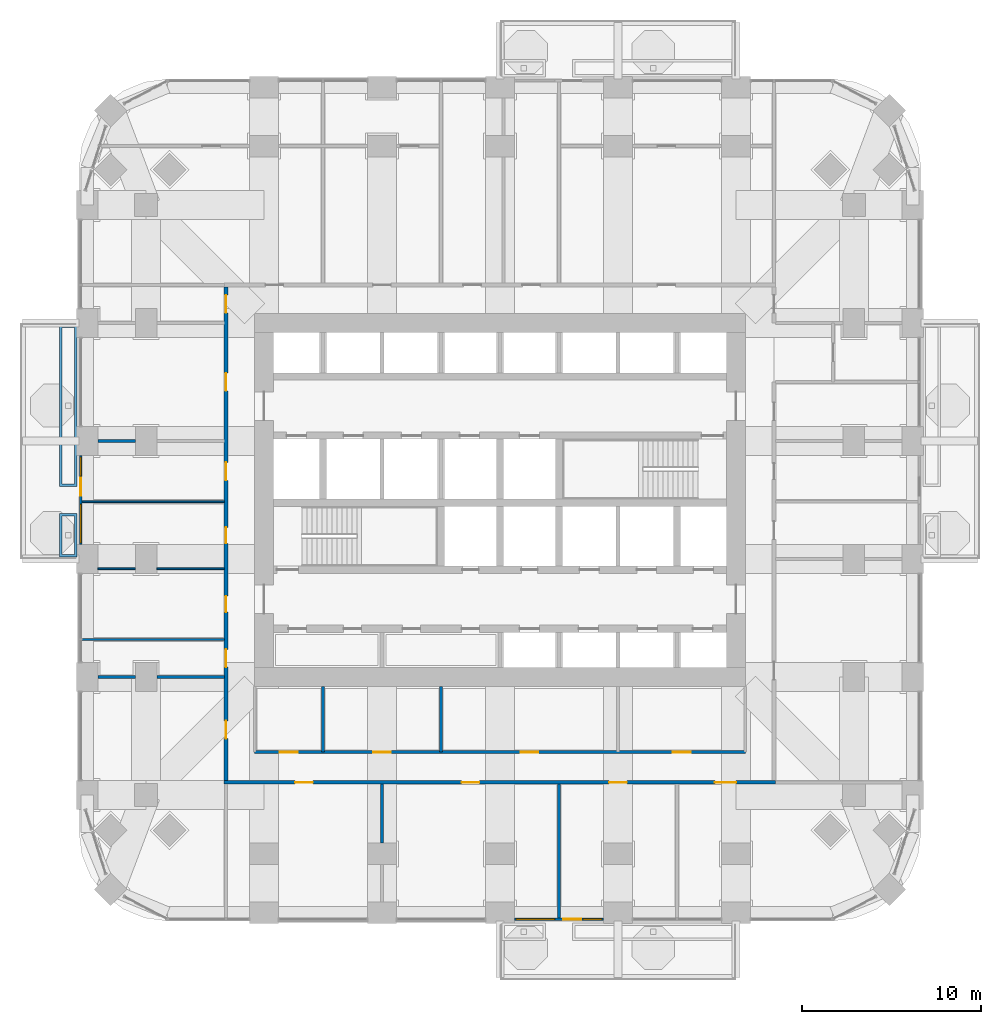
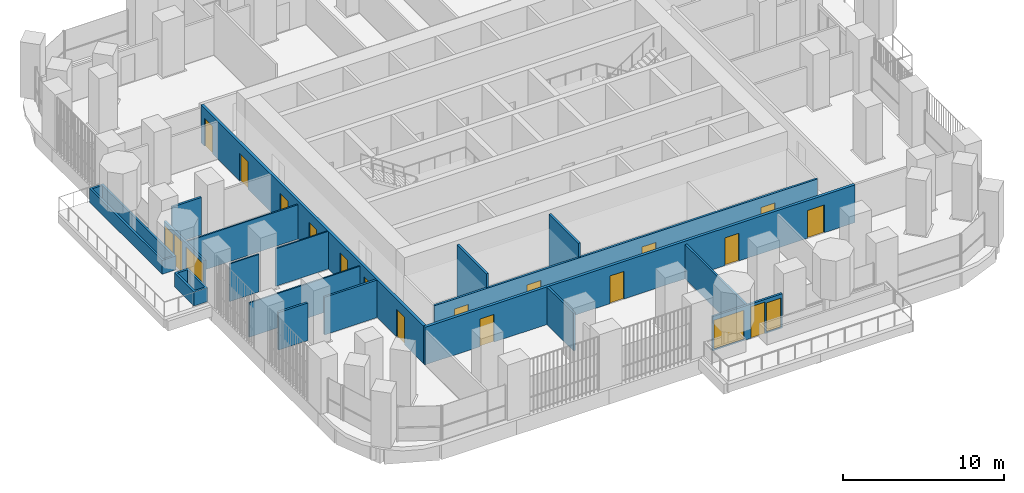
# One storey, part 14 of 22: 18 walls, 17 doors, 4 windows, 21 openings.
"""IFC4 building model written with IfcOpenShell, lengths in metres."""

import ifcopenshell
import ifcopenshell.guid

model = None  # the IFC model being written
_history = None  # IfcOwnerHistory: only IFC2X3 demands one
_inside = {}  # id of a spatial element -> (the spatial element, [elements in it])
_under = {}  # id of a project, library or spatial element -> (it, [spatial elements below it])
_declared = {}  # id of a project -> (the project, [libraries it declares])
_typed = {}  # id of a type object -> (the type object, [elements of that type])
_made_of = {}  # id of a material, layer set ... -> (it, [elements and type objects made of it])


def new_model(schema):
    """Start an empty IFC model of exactly this schema.

    Asked for "IFC4X3", IfcOpenShell would pick the latest addendum, in which some entities
    have other attributes; the version numbers below select the first issue.
    IFC2X3 requires an IfcOwnerHistory on every rooted entity: one is made here for all.
    """
    global model, _history
    if schema == "IFC4X3":
        model = ifcopenshell.file(schema_version=(4, 3, 0, 0))
    else:
        model = ifcopenshell.file(schema=schema)
    _inside.clear()
    _under.clear()
    _declared.clear()
    _typed.clear()
    _made_of.clear()
    _history = None
    if model.schema == "IFC2X3":
        org = make("IfcOrganization", Name="unknown")
        user = make(
            "IfcPersonAndOrganization",
            ThePerson=make("IfcPerson", FamilyName="unknown"),
            TheOrganization=org,
        )
        app = make(
            "IfcApplication",
            ApplicationDeveloper=org,
            Version="unknown",
            ApplicationFullName="unknown",
            ApplicationIdentifier="unknown",
        )
        _history = make(
            "IfcOwnerHistory",
            OwningUser=user,
            OwningApplication=app,
            ChangeAction="ADDED",
            CreationDate=0,
        )
    return model


def make(cls, **values):
    """One entity of the class cls with the attributes given. An attribute that is None is left unset."""
    return model.create_entity(
        cls, **{name: value for name, value in values.items() if value is not None}
    )


def rooted(cls, **values):
    """An entity with a GlobalId (a new one), such as an element, a storey or a relation."""
    return make(cls, GlobalId=ifcopenshell.guid.new(), OwnerHistory=_history, **values)


def si_unit(unit_type, name, prefix=None):
    """IfcSIUnit, for example si_unit("LENGTHUNIT", "METRE", prefix="MILLI")."""
    return make("IfcSIUnit", UnitType=unit_type, Prefix=prefix, Name=name)


def assignment(units):
    """IfcUnitAssignment: the units of a project."""
    return None if units is None else make("IfcUnitAssignment", Units=units)


def point(xyz):
    """IfcCartesianPoint."""
    return None if xyz is None else make("IfcCartesianPoint", Coordinates=xyz)


def direction(xyz):
    """IfcDirection."""
    return None if xyz is None else make("IfcDirection", DirectionRatios=xyz)


def frame(location, z_axis=None, x_axis=None):
    """IfcAxis2Placement3D, a coordinate frame: its origin and axes. An axis left out is left unset."""
    return make(
        "IfcAxis2Placement3D",
        Location=point(location),
        Axis=direction(z_axis),
        RefDirection=direction(x_axis),
    )


def frame_2d(location, x_axis=None):
    """IfcAxis2Placement2D, a coordinate frame in the plane: its origin and x axis."""
    return make(
        "IfcAxis2Placement2D", Location=point(location), RefDirection=direction(x_axis)
    )


def origin():
    """The frame at (0, 0, 0) with its axes left unset."""
    return frame((0.0, 0.0, 0.0))


def place(relative_to, where):
    """IfcLocalPlacement: puts the frame where relative to a parent placement (None: the world)."""
    return make(
        "IfcLocalPlacement", PlacementRelTo=relative_to, RelativePlacement=where
    )


def context(
    kind, dimensions, precision=None, world=None, true_north=None, identifier=None
):
    """IfcGeometricRepresentationContext, for example the 3D "Model" context."""
    return make(
        "IfcGeometricRepresentationContext",
        ContextIdentifier=identifier,
        ContextType=kind,
        CoordinateSpaceDimension=dimensions,
        Precision=precision,
        WorldCoordinateSystem=world,
        TrueNorth=true_north,
    )


def subcontext(parent, identifier, kind, view, scale=None):
    """IfcGeometricRepresentationSubContext, for example "Body" below "Model"."""
    return make(
        "IfcGeometricRepresentationSubContext",
        ContextIdentifier=identifier,
        ContextType=kind,
        ParentContext=parent,
        TargetScale=scale,
        TargetView=view,
    )


def project(units=None, contexts=None):
    """IfcProject with its units and contexts."""
    return rooted(
        "IfcProject",
        Name="project",
        RepresentationContexts=contexts,
        UnitsInContext=assignment(units),
    )


def spatial(cls, under=None, at=None, **own):
    """A site, building, storey or space (cls), placed at a placement, below another one or the project."""
    s = rooted(cls, ObjectPlacement=at, **own)
    if under is not None:
        _under.setdefault(under.id(), (under, []))[1].append(s)
    return s


def polyline(points):
    """IfcPolyline through the points."""
    return make("IfcPolyline", Points=[point(p) for p in points])


def profile(cls, at=None, kind="AREA", **sizes):
    """A parametric profile (cls). Its sizes go by their IFC names, for example OverallWidth=200.0."""
    return make(cls, ProfileType=kind, Position=at, **sizes)


def rectangle(**sizes):
    """IfcRectangleProfileDef."""
    return profile("IfcRectangleProfileDef", **sizes)


def outline(outer, holes=None, kind="AREA"):
    """IfcArbitraryClosedProfileDef: a profile drawn as a closed curve; with holes, ...WithVoids."""
    if holes is None:
        return make("IfcArbitraryClosedProfileDef", ProfileType=kind, OuterCurve=outer)
    return make(
        "IfcArbitraryProfileDefWithVoids",
        ProfileType=kind,
        OuterCurve=outer,
        InnerCurves=holes,
    )


def extrude(swept, where, along, depth):
    """IfcExtrudedAreaSolid: the profile swept, set in the frame where, extruded along a direction by depth."""
    return make(
        "IfcExtrudedAreaSolid",
        SweptArea=swept,
        Position=where,
        ExtrudedDirection=direction(along),
        Depth=depth,
    )


def shape(context_of_items, identifier, shape_type, items):
    """IfcShapeRepresentation: the items that make up one representation, for example the "Body"."""
    return make(
        "IfcShapeRepresentation",
        ContextOfItems=context_of_items,
        RepresentationIdentifier=identifier,
        RepresentationType=shape_type,
        Items=items,
    )


def material(Name=None, Category=None):
    """IfcMaterial."""
    return make("IfcMaterial", Name=Name, Category=Category)


def layer(
    of_material, thickness, ventilated=None, Name=None, Category=None, Priority=None
):
    """IfcMaterialLayer: one layer of a wall or slab, of a material (None: an air gap)."""
    return make(
        "IfcMaterialLayer",
        Material=of_material,
        LayerThickness=thickness,
        IsVentilated=ventilated,
        Name=Name,
        Category=Category,
        Priority=Priority,
    )


def layer_set(layers, Name=None):
    """IfcMaterialLayerSet."""
    return make("IfcMaterialLayerSet", MaterialLayers=layers, LayerSetName=Name)


def made_of(thing, what):
    """Note that an element or type object is made of a material, layer set ...; save() writes the relation."""
    if what is not None:
        _made_of.setdefault(what.id(), (what, []))[1].append(thing)
    return thing


def type_object(cls, material=None, **own):
    """A type object (cls), such as IfcWallType, which elements share."""
    return made_of(rooted(cls, **own), material)


def element(
    cls,
    number,
    at=None,
    inside=None,
    cuts=None,
    type_object=None,
    material=None,
    context=None,
    identifier="Body",
    shape_type=None,
    held_by="IfcProductDefinitionShape",
    body=None,
    shapes=None,
    **own,
):
    """One element of the class cls, such as IfcWall. Its Tag is "e" and its number.

    at: its placement. inside: the storey or other place that contains it. cuts: it is an
    opening in that element (IfcRelVoidsElement). A single representation is given by context,
    identifier, shape_type and body (its items); several are given by shapes. held_by: the class
    of the entity that holds the representations. save() writes the other relations.
    """
    e = rooted(cls, Tag="e%d" % number, ObjectPlacement=at, **own)
    if body is not None:
        shapes = [shape(context, identifier, shape_type, body)]
    if shapes is not None:
        e.Representation = make(held_by, Representations=shapes)
    if inside is not None:
        _inside.setdefault(inside.id(), (inside, []))[1].append(e)
    if cuts is not None:
        rooted(
            "IfcRelVoidsElement", RelatingBuildingElement=cuts, RelatedOpeningElement=e
        )
    if type_object is not None:
        _typed.setdefault(type_object.id(), (type_object, []))[1].append(e)
    return made_of(e, material)


def fill(opening, filler):
    """IfcRelFillsElement: the door or window that sits in an opening."""
    return rooted(
        "IfcRelFillsElement",
        RelatingOpeningElement=opening,
        RelatedBuildingElement=filler,
    )


def aggregate(whole, parts):
    """IfcRelAggregates: a whole, such as a stair, and the parts it consists of."""
    return rooted("IfcRelAggregates", RelatingObject=whole, RelatedObjects=parts)


def save(model, path):
    """Write the relations noted so far, then the file.

    IfcRelAggregates (storeys below a building ...), IfcRelContainedInSpatialStructure (elements
    in a storey), IfcRelDefinesByType, IfcRelAssociatesMaterial and IfcRelDeclares: one each for
    every whole, place, type object, material and project.
    """
    for whole, parts in _under.values():
        aggregate(whole, parts)
    for where, things in _inside.values():
        rooted(
            "IfcRelContainedInSpatialStructure",
            RelatedElements=things,
            RelatingStructure=where,
        )
    for kind, things in _typed.values():
        rooted("IfcRelDefinesByType", RelatedObjects=things, RelatingType=kind)
    for what, things in _made_of.values():
        rooted("IfcRelAssociatesMaterial", RelatedObjects=things, RelatingMaterial=what)
    for by, libraries in _declared.values():
        rooted("IfcRelDeclares", RelatingContext=by, RelatedDefinitions=libraries)
    model.write(path)


model = new_model("IFC4")

# Units and contexts
model_context = context("Model", 3, precision=1e-05, world=origin(), true_north=direction((0.0, 1.0)))
body_context = subcontext(model_context, "Body", "Model", "MODEL_VIEW")
ifc_project = project(units=[si_unit("LENGTHUNIT", "METRE"), si_unit("AREAUNIT", "SQUARE_METRE"), si_unit("VOLUMEUNIT", "CUBIC_METRE"), si_unit("PLANEANGLEUNIT", "RADIAN"), si_unit("MASSUNIT", "GRAM", prefix="KILO")], contexts=[model_context])

# Site, building, storey
site_placement = place(None, origin())
site = spatial("IfcSite", under=ifc_project, at=site_placement, CompositionType="ELEMENT")
building_placement = place(site_placement, origin())
building = spatial("IfcBuilding", under=site, at=building_placement, Name="Cobogo Forest Laboratory Tower", CompositionType="ELEMENT")
storey_placement = place(building_placement, frame((0.0, 0.0, 136.800048828125)))
storey = spatial("IfcBuildingStorey", under=building, at=storey_placement, Name="L31", CompositionType="ELEMENT", Elevation=136.800048828125)

# Wall, openings, door, windows
ifc_material_1 = material(Name="Aluminium framed glazed screen", Category="aluminium")
ifc_layer_1 = layer(ifc_material_1, 0.14990234375)
ifc_layer_set_1 = layer_set([ifc_layer_1], Name="GS1 glazed door screen 150")
wall_type_1 = type_object("IfcWallType", Name="GS1 glazed door screen 150", PredefinedType="SOLIDWALL", material=ifc_layer_set_1)
wall_1_placement = place(storey_placement, frame((27.199951171875, -0.35009765625, 0.0), z_axis=(0.0, 0.0, 1.0), x_axis=(1.0, 0.0, 0.0)))
wall_1 = element("IfcWall", 1, at=wall_1_placement, inside=storey, type_object=wall_type_1, Name="Door screen BAL-S1 L31", PredefinedType="SOLIDWALL", context=body_context, shape_type="SweptSolid", body=[
    extrude(rectangle(XDim=5.0, YDim=0.14990234375, at=frame_2d((2.5, 0.0))), origin(), (0.0, 0.0, 1.0), 2.599853515625),
])
opening_1_placement = place(wall_1_placement, frame((2.75, 0.0, 0.0)))
opening_1 = element("IfcOpeningElement", 2, at=opening_1_placement, cuts=wall_1, Name="Opening L31-D01", PredefinedType="OPENING", context=body_context, shape_type="SweptSolid", body=[
    extrude(rectangle(XDim=1.0, YDim=2.39990234375, at=frame_2d((0.5, 1.199951171875))), frame((0.0, 0.0849609375, 0.0), z_axis=(0.0, -1.0, 0.0), x_axis=(1.0, 0.0, 0.0)), (0.0, 0.0, 1.0), 0.169921875),
])
opening_2_placement = place(wall_1_placement, frame((0.10009765625, 0.0, 0.10009765625)))
opening_2 = element("IfcOpeningElement", 3, at=opening_2_placement, cuts=wall_1, Name="Opening L31-W01", PredefinedType="OPENING", context=body_context, shape_type="SweptSolid", body=[
    extrude(rectangle(XDim=2.14990234375, YDim=2.199951171875, at=frame_2d((1.074951171875, 1.10009765625))), frame((0.0, 0.0849609375, 0.0), z_axis=(0.0, -1.0, 0.0), x_axis=(1.0, 0.0, 0.0)), (0.0, 0.0, 1.0), 0.169921875),
])
opening_3_placement = place(wall_1_placement, frame((3.85009765625, 0.0, 0.10009765625)))
opening_3 = element("IfcOpeningElement", 4, at=opening_3_placement, cuts=wall_1, Name="Opening L31-W02", PredefinedType="OPENING", context=body_context, shape_type="SweptSolid", body=[
    extrude(rectangle(XDim=1.050048828125, YDim=2.199951171875, at=frame_2d((0.52490234375, 1.10009765625))), frame((0.0, 0.0849609375, 0.0), z_axis=(0.0, -1.0, 0.0), x_axis=(1.0, 0.0, 0.0)), (0.0, 0.0, 1.0), 0.169921875),
])
ifc_material_2 = material(Name="Aluminium glazed door", Category="aluminium")
door_type_1 = type_object("IfcDoorType", Name="DB1 balcony door 1000 glazed", OperationType="SINGLE_SWING_LEFT", PredefinedType="DOOR", material=ifc_material_2)
door_1_placement = place(opening_1_placement, origin())
door_1 = element("IfcDoor", 5, at=door_1_placement, inside=storey, type_object=door_type_1, Name="Door L31-BAL-S1", OperationType="SINGLE_SWING_RIGHT", OverallHeight=2.39990234375, OverallWidth=1.0, PredefinedType="DOOR", context=body_context, shape_type="SweptSolid", body=[
    extrude(rectangle(XDim=1.0, YDim=2.39990234375, at=frame_2d((0.5, 1.199951171875))), frame((0.0, 0.02490234375, 0.0), z_axis=(0.0, -1.0, 0.0), x_axis=(1.0, 0.0, 0.0)), (0.0, 0.0, 1.0), 0.050048828125),
])
fill(opening_1, door_1)
ifc_material_3 = material(Name="Aluminium framed glazing", Category="aluminium")
window_type_1 = type_object("IfcWindowType", Name="WG17 fixed glazed light 2150x2200", PartitioningType="SINGLE_PANEL", PredefinedType="WINDOW", material=ifc_material_3)
window_1_placement = place(opening_2_placement, origin())
window_1 = element("IfcWindow", 6, at=window_1_placement, inside=storey, type_object=window_type_1, Name="Window L31-BAL-S1-1", OverallHeight=2.199951171875, OverallWidth=2.14990234375, PartitioningType="SINGLE_PANEL", PredefinedType="WINDOW", context=body_context, shape_type="SweptSolid", body=[
    extrude(rectangle(XDim=2.14990234375, YDim=2.199951171875, at=frame_2d((1.074951171875, 1.10009765625))), frame((0.0, 0.030029296875, 0.0), z_axis=(0.0, -1.0, 0.0), x_axis=(1.0, 0.0, 0.0)), (0.0, 0.0, 1.0), 0.06005859375),
])
fill(opening_2, window_1)
window_type_2 = type_object("IfcWindowType", Name="WG18 fixed glazed light 1050x2200", PartitioningType="SINGLE_PANEL", PredefinedType="WINDOW", material=ifc_material_3)
window_2_placement = place(opening_3_placement, origin())
window_2 = element("IfcWindow", 7, at=window_2_placement, inside=storey, type_object=window_type_2, Name="Window L31-BAL-S1-2", OverallHeight=2.199951171875, OverallWidth=1.050048828125, PartitioningType="SINGLE_PANEL", PredefinedType="WINDOW", context=body_context, shape_type="SweptSolid", body=[
    extrude(rectangle(XDim=1.050048828125, YDim=2.199951171875, at=frame_2d((0.52490234375, 1.10009765625))), frame((0.0, 0.030029296875, 0.0), z_axis=(0.0, -1.0, 0.0), x_axis=(1.0, 0.0, 0.0)), (0.0, 0.0, 1.0), 0.06005859375),
])
fill(opening_3, window_2)

wall_2_placement = place(storey_placement, frame((2.949951171875, 25.60009765625, 0.0), z_axis=(0.0, 0.0, 1.0), x_axis=(0.0, -1.0, 0.0)))
wall_2 = element("IfcWall", 8, at=wall_2_placement, inside=storey, type_object=wall_type_1, Name="Door screen BAL-W1 L31", PredefinedType="SOLIDWALL", context=body_context, shape_type="SweptSolid", body=[
    extrude(rectangle(XDim=5.0, YDim=0.14990234375, at=frame_2d((2.5, 0.0))), origin(), (0.0, 0.0, 1.0), 2.599853515625),
])
opening_4_placement = place(wall_2_placement, frame((1.25, 0.0, 0.0)))
opening_4 = element("IfcOpeningElement", 9, at=opening_4_placement, cuts=wall_2, Name="Opening L31-D25", PredefinedType="OPENING", context=body_context, shape_type="SweptSolid", body=[
    extrude(rectangle(XDim=1.0, YDim=2.39990234375, at=frame_2d((0.5, 1.199951171875))), frame((0.0, 0.0849609375, 0.0), z_axis=(0.0, -1.0, 0.0), x_axis=(1.0, 0.0, 0.0)), (0.0, 0.0, 1.0), 0.169921875),
])
opening_5_placement = place(wall_2_placement, frame((0.10009765625, 0.0, 0.10009765625)))
opening_5 = element("IfcOpeningElement", 10, at=opening_5_placement, cuts=wall_2, Name="Opening L31-W05", PredefinedType="OPENING", context=body_context, shape_type="SweptSolid", body=[
    extrude(rectangle(XDim=1.050048828125, YDim=2.199951171875, at=frame_2d((0.52490234375, 1.10009765625))), frame((0.0, 0.0849609375, 0.0), z_axis=(0.0, -1.0, 0.0), x_axis=(1.0, 0.0, 0.0)), (0.0, 0.0, 1.0), 0.169921875),
])
opening_6_placement = place(wall_2_placement, frame((2.75, 0.0, 0.10009765625)))
opening_6 = element("IfcOpeningElement", 11, at=opening_6_placement, cuts=wall_2, Name="Opening L31-W03", PredefinedType="OPENING", context=body_context, shape_type="SweptSolid", body=[
    extrude(rectangle(XDim=2.14990234375, YDim=2.199951171875, at=frame_2d((1.074951171875, 1.10009765625))), frame((0.0, 0.0849609375, 0.0), z_axis=(0.0, -1.0, 0.0), x_axis=(1.0, 0.0, 0.0)), (0.0, 0.0, 1.0), 0.169921875),
])
door_2_placement = place(opening_4_placement, origin())
door_2 = element("IfcDoor", 12, at=door_2_placement, inside=storey, type_object=door_type_1, Name="Door L31-BAL-W1", OperationType="SINGLE_SWING_LEFT", OverallHeight=2.39990234375, OverallWidth=1.0, PredefinedType="DOOR", context=body_context, shape_type="SweptSolid", body=[
    extrude(rectangle(XDim=1.0, YDim=2.39990234375, at=frame_2d((0.5, 1.199951171875))), frame((0.0, 0.02490234375, 0.0), z_axis=(0.0, -1.0, 0.0), x_axis=(1.0, 0.0, 0.0)), (0.0, 0.0, 1.0), 0.050048828125),
])
fill(opening_4, door_2)
window_3_placement = place(opening_6_placement, origin())
window_3 = element("IfcWindow", 13, at=window_3_placement, inside=storey, type_object=window_type_1, Name="Window L31-BAL-W1-2", OverallHeight=2.199951171875, OverallWidth=2.14990234375, PartitioningType="SINGLE_PANEL", PredefinedType="WINDOW", context=body_context, shape_type="SweptSolid", body=[
    extrude(rectangle(XDim=2.14990234375, YDim=2.199951171875, at=frame_2d((1.074951171875, 1.10009765625))), frame((0.0, 0.030029296875, 0.0), z_axis=(0.0, -1.0, 0.0), x_axis=(1.0, 0.0, 0.0)), (0.0, 0.0, 1.0), 0.06005859375),
])
fill(opening_6, window_3)
window_4_placement = place(opening_5_placement, origin())
window_4 = element("IfcWindow", 14, at=window_4_placement, inside=storey, type_object=window_type_2, Name="Window L31-BAL-W1-1", OverallHeight=2.199951171875, OverallWidth=1.050048828125, PartitioningType="SINGLE_PANEL", PredefinedType="WINDOW", context=body_context, shape_type="SweptSolid", body=[
    extrude(rectangle(XDim=1.050048828125, YDim=2.199951171875, at=frame_2d((0.52490234375, 1.10009765625))), frame((0.0, 0.030029296875, 0.0), z_axis=(0.0, -1.0, 0.0), x_axis=(1.0, 0.0, 0.0)), (0.0, 0.0, 1.0), 0.06005859375),
])
fill(opening_5, window_4)

# Wall, openings, doors
ifc_material_4 = material(Name="Gypsum board on steel studs", Category="steel")
ifc_layer_2 = layer(ifc_material_4, 0.14990234375)
ifc_layer_set_2 = layer_set([ifc_layer_2], Name="PT1 laboratory partition 150")
wall_type_2 = type_object("IfcWallType", Name="PT1 laboratory partition 150", PredefinedType="PARTITIONING", material=ifc_layer_set_2)
wall_3_placement = place(storey_placement, frame((12.675048828125, 9.0, 0.0), z_axis=(0.0, 0.0, 1.0), x_axis=(1.0, 0.0, 0.0)))
wall_3 = element("IfcWall", 15, at=wall_3_placement, inside=storey, type_object=wall_type_2, Name="Partition CSTRIP-S L31", PredefinedType="PARTITIONING", context=body_context, shape_type="SweptSolid", body=[
    extrude(rectangle(XDim=27.449951171875, YDim=0.14990234375, at=frame_2d((13.72509765625, 0.0))), origin(), (0.0, 0.0, 1.0), 2.849853515625),
])
opening_7_placement = place(wall_3_placement, frame((1.41259765625, 0.0, 0.0)))
opening_7 = element("IfcOpeningElement", 16, at=opening_7_placement, cuts=wall_3, Name="Opening L31-D06", PredefinedType="OPENING", context=body_context, shape_type="SweptSolid", body=[
    extrude(rectangle(XDim=1.0, YDim=2.10009765625, at=frame_2d((0.5, 1.050048828125))), frame((0.0, 0.0849609375, 0.0), z_axis=(0.0, -1.0, 0.0), x_axis=(1.0, 0.0, 0.0)), (0.0, 0.0, 1.0), 0.169921875),
])
opening_8_placement = place(wall_3_placement, frame((6.625, 0.0, 0.0)))
opening_8 = element("IfcOpeningElement", 17, at=opening_8_placement, cuts=wall_3, Name="Opening L31-D07", PredefinedType="OPENING", context=body_context, shape_type="SweptSolid", body=[
    extrude(rectangle(XDim=1.0, YDim=2.10009765625, at=frame_2d((0.5, 1.050048828125))), frame((0.0, 0.0849609375, 0.0), z_axis=(0.0, -1.0, 0.0), x_axis=(1.0, 0.0, 0.0)), (0.0, 0.0, 1.0), 0.169921875),
])
opening_9_placement = place(wall_3_placement, frame((14.875, 0.0, 0.0)))
opening_9 = element("IfcOpeningElement", 18, at=opening_9_placement, cuts=wall_3, Name="Opening L31-D08", PredefinedType="OPENING", context=body_context, shape_type="SweptSolid", body=[
    extrude(rectangle(XDim=1.0, YDim=2.10009765625, at=frame_2d((0.5, 1.050048828125))), frame((0.0, 0.0849609375, 0.0), z_axis=(0.0, -1.0, 0.0), x_axis=(1.0, 0.0, 0.0)), (0.0, 0.0, 1.0), 0.169921875),
])
opening_10_placement = place(wall_3_placement, frame((23.387451171875, 0.0, 0.0)))
opening_10 = element("IfcOpeningElement", 19, at=opening_10_placement, cuts=wall_3, Name="Opening L31-D09", PredefinedType="OPENING", context=body_context, shape_type="SweptSolid", body=[
    extrude(rectangle(XDim=1.0, YDim=2.10009765625, at=frame_2d((0.5, 1.050048828125))), frame((0.0, 0.0849609375, 0.0), z_axis=(0.0, -1.0, 0.0), x_axis=(1.0, 0.0, 0.0)), (0.0, 0.0, 1.0), 0.169921875),
])
ifc_material_5 = material(Name="Timber fire door", Category="wood")
door_type_2 = type_object("IfcDoorType", Name="FD2 fire door 1000 EI2 30", OperationType="SINGLE_SWING_LEFT", PredefinedType="DOOR", material=ifc_material_5)
door_3_placement = place(opening_7_placement, origin())
door_3 = element("IfcDoor", 20, at=door_3_placement, inside=storey, type_object=door_type_2, Name="Door L31-CSS1", OperationType="SINGLE_SWING_LEFT", OverallHeight=2.10009765625, OverallWidth=1.0, PredefinedType="DOOR", context=body_context, shape_type="SweptSolid", body=[
    extrude(rectangle(XDim=1.0, YDim=2.10009765625, at=frame_2d((0.5, 1.050048828125))), frame((0.0, 0.02490234375, 0.0), z_axis=(0.0, -1.0, 0.0), x_axis=(1.0, 0.0, 0.0)), (0.0, 0.0, 1.0), 0.050048828125),
])
fill(opening_7, door_3)
door_4_placement = place(opening_8_placement, origin())
door_4 = element("IfcDoor", 21, at=door_4_placement, inside=storey, type_object=door_type_2, Name="Door L31-CSS2", OperationType="SINGLE_SWING_LEFT", OverallHeight=2.10009765625, OverallWidth=1.0, PredefinedType="DOOR", context=body_context, shape_type="SweptSolid", body=[
    extrude(rectangle(XDim=1.0, YDim=2.10009765625, at=frame_2d((0.5, 1.050048828125))), frame((0.0, 0.02490234375, 0.0), z_axis=(0.0, -1.0, 0.0), x_axis=(1.0, 0.0, 0.0)), (0.0, 0.0, 1.0), 0.050048828125),
])
fill(opening_8, door_4)
door_5_placement = place(opening_9_placement, origin())
door_5 = element("IfcDoor", 22, at=door_5_placement, inside=storey, type_object=door_type_2, Name="Door L31-CSS3", OperationType="SINGLE_SWING_RIGHT", OverallHeight=2.10009765625, OverallWidth=1.0, PredefinedType="DOOR", context=body_context, shape_type="SweptSolid", body=[
    extrude(rectangle(XDim=1.0, YDim=2.10009765625, at=frame_2d((0.5, 1.050048828125))), frame((0.0, 0.02490234375, 0.0), z_axis=(0.0, -1.0, 0.0), x_axis=(1.0, 0.0, 0.0)), (0.0, 0.0, 1.0), 0.050048828125),
])
fill(opening_9, door_5)
door_6_placement = place(opening_10_placement, origin())
door_6 = element("IfcDoor", 23, at=door_6_placement, inside=storey, type_object=door_type_2, Name="Door L31-CSS4", OperationType="SINGLE_SWING_RIGHT", OverallHeight=2.10009765625, OverallWidth=1.0, PredefinedType="DOOR", context=body_context, shape_type="SweptSolid", body=[
    extrude(rectangle(XDim=1.0, YDim=2.10009765625, at=frame_2d((0.5, 1.050048828125))), frame((0.0, 0.02490234375, 0.0), z_axis=(0.0, -1.0, 0.0), x_axis=(1.0, 0.0, 0.0)), (0.0, 0.0, 1.0), 0.050048828125),
])
fill(opening_10, door_6)

# Walls
for number, where, z_axis, x_axis, name in (
    (24, (16.5, 12.675048828125, 0.0), (0.0, 0.0, 1.0), (0.0, -1.0, 0.0), "Partition CSTRIP-S16.5 L31"),
    (25, (23.10009765625, 12.675048828125, 0.0), (0.0, 0.0, 1.0), (0.0, -1.0, 0.0), "Partition CSTRIP-S23.1 L31"),
):
    element("IfcWall", number, at=place(storey_placement, frame(where, z_axis=z_axis, x_axis=x_axis)), inside=storey, type_object=wall_type_2, Name=name, PredefinedType="PARTITIONING", context=body_context, shape_type="SweptSolid", body=[
        extrude(rectangle(XDim=3.675048828125, YDim=0.14990234375, at=frame_2d((1.83740234375, 0.0))), origin(), (0.0, 0.0, 1.0), 3.89990234375),
    ])
wall_4_placement = place(storey_placement, frame((19.800048828125, 3.89990234375, 0.0), z_axis=(0.0, 0.0, 1.0), x_axis=(0.0, 1.0, 0.0)))
element("IfcWall", 26, at=wall_4_placement, inside=storey, type_object=wall_type_2, Name="Partition CUT-S19.8-2 L31", PredefinedType="PARTITIONING", context=body_context, shape_type="SweptSolid", body=[
    extrude(rectangle(XDim=3.300048828125, YDim=0.14990234375, at=frame_2d((1.64990234375, 0.0))), origin(), (0.0, 0.0, 1.0), 2.849853515625),
])
wall_5_placement = place(storey_placement, frame((29.699951171875, -0.27001953125, 0.0), z_axis=(0.0, 0.0, 1.0), x_axis=(0.0, 1.0, 0.0)))
element("IfcWall", 27, at=wall_5_placement, inside=storey, type_object=wall_type_2, Name="Partition CUT-S29.7-1 L31", PredefinedType="PARTITIONING", context=body_context, shape_type="SweptSolid", body=[
    extrude(rectangle(XDim=7.469970703125, YDim=0.14990234375, at=frame_2d((3.73486328125, 0.0))), origin(), (0.0, 0.0, 1.0), 2.599853515625),
])
wall_6_placement = place(storey_placement, frame((3.89990234375, 13.199951171875, 0.0), z_axis=(0.0, 0.0, 1.0), x_axis=(1.0, 0.0, 0.0)))
element("IfcWall", 28, at=wall_6_placement, inside=storey, type_object=wall_type_2, Name="Partition CUT-W13.2-1 L31", PredefinedType="PARTITIONING", context=body_context, shape_type="SweptSolid", body=[
    extrude(rectangle(XDim=2.10009765625, YDim=0.14990234375, at=frame_2d((1.050048828125, 0.0))), origin(), (0.0, 0.0, 1.0), 2.849853515625),
])
wall_7_placement = place(storey_placement, frame((7.199951171875, 13.199951171875, 0.0), z_axis=(0.0, 0.0, 1.0), x_axis=(1.0, 0.0, 0.0)))
element("IfcWall", 29, at=wall_7_placement, inside=storey, type_object=wall_type_2, Name="Partition CUT-W13.2-2 L31", PredefinedType="PARTITIONING", context=body_context, shape_type="SweptSolid", body=[
    extrude(rectangle(XDim=3.775146484375, YDim=0.14990234375, at=frame_2d((1.8876953125, 0.0))), origin(), (0.0, 0.0, 1.0), 2.849853515625),
])
wall_8_placement = place(storey_placement, frame((3.89990234375, 26.39990234375, 0.0), z_axis=(0.0, 0.0, 1.0), x_axis=(1.0, 0.0, 0.0)))
element("IfcWall", 30, at=wall_8_placement, inside=storey, type_object=wall_type_2, Name="Partition CUT-W26.4-1 L31", PredefinedType="PARTITIONING", context=body_context, shape_type="SweptSolid", body=[
    extrude(rectangle(XDim=2.10009765625, YDim=0.14990234375, at=frame_2d((1.050048828125, 0.0))), origin(), (0.0, 0.0, 1.0), 2.849853515625),
])

# Wall, openings, doors
ifc_layer_3 = layer(ifc_material_4, 0.199951171875)
ifc_layer_set_3 = layer_set([ifc_layer_3], Name="PT2 fire-rated corridor partition 200")
wall_type_3 = type_object("IfcWallType", Name="PT2 fire-rated corridor partition 200", PredefinedType="PARTITIONING", material=ifc_layer_set_3)
wall_9_placement = place(storey_placement, frame((10.97509765625, 7.300048828125, 0.0), z_axis=(0.0, 0.0, 1.0), x_axis=(1.0, 0.0, 0.0)))
wall_9 = element("IfcWall", 31, at=wall_9_placement, inside=storey, type_object=wall_type_3, Name="Partition CORR-S L31", PredefinedType="PARTITIONING", context=body_context, shape_type="SweptSolid", body=[
    extrude(rectangle(XDim=30.849853515625, YDim=0.199951171875, at=frame_2d((15.4248046875, 0.0))), origin(), (0.0, 0.0, 1.0), 2.849853515625),
])
opening_11_placement = place(wall_9_placement, frame((3.96240234375, 0.0, 0.0)))
opening_11 = element("IfcOpeningElement", 32, at=opening_11_placement, cuts=wall_9, Name="Opening L31-D02", PredefinedType="OPENING", context=body_context, shape_type="SweptSolid", body=[
    extrude(rectangle(XDim=1.0, YDim=2.10009765625, at=frame_2d((0.5, 1.050048828125))), frame((0.0, 0.10986328125, 0.0), z_axis=(0.0, -1.0, 0.0), x_axis=(1.0, 0.0, 0.0)), (0.0, 0.0, 1.0), 0.219970703125),
])
opening_12_placement = place(wall_9_placement, frame((13.27490234375, 0.0, 0.0)))
opening_12 = element("IfcOpeningElement", 33, at=opening_12_placement, cuts=wall_9, Name="Opening L31-D03", PredefinedType="OPENING", context=body_context, shape_type="SweptSolid", body=[
    extrude(rectangle(XDim=1.0, YDim=2.10009765625, at=frame_2d((0.5, 1.050048828125))), frame((0.0, 0.10986328125, 0.0), z_axis=(0.0, -1.0, 0.0), x_axis=(1.0, 0.0, 0.0)), (0.0, 0.0, 1.0), 0.219970703125),
])
opening_13_placement = place(wall_9_placement, frame((21.52490234375, 0.0, 0.0)))
opening_13 = element("IfcOpeningElement", 34, at=opening_13_placement, cuts=wall_9, Name="Opening L31-D04", PredefinedType="OPENING", context=body_context, shape_type="SweptSolid", body=[
    extrude(rectangle(XDim=1.0, YDim=2.10009765625, at=frame_2d((0.5, 1.050048828125))), frame((0.0, 0.10986328125, 0.0), z_axis=(0.0, -1.0, 0.0), x_axis=(1.0, 0.0, 0.0)), (0.0, 0.0, 1.0), 0.219970703125),
])
opening_14_placement = place(wall_9_placement, frame((27.4375, 0.0, 0.0)))
opening_14 = element("IfcOpeningElement", 35, at=opening_14_placement, cuts=wall_9, Name="Opening L31-D05", PredefinedType="OPENING", context=body_context, shape_type="SweptSolid", body=[
    extrude(rectangle(XDim=1.199951171875, YDim=2.10009765625, at=frame_2d((0.60009765625, 1.050048828125))), frame((0.0, 0.10986328125, 0.0), z_axis=(0.0, -1.0, 0.0), x_axis=(1.0, 0.0, 0.0)), (0.0, 0.0, 1.0), 0.219970703125),
])
ifc_material_6 = material(Name="Timber door", Category="wood")
door_type_3 = type_object("IfcDoorType", Name="D2 laboratory door 1200 unequal pair", OperationType="DOUBLE_DOOR_SINGLE_SWING", PredefinedType="DOOR", material=ifc_material_6)
door_7_placement = place(opening_14_placement, origin())
door_7 = element("IfcDoor", 36, at=door_7_placement, inside=storey, type_object=door_type_3, Name="Door L31-S4", OperationType="DOUBLE_DOOR_SINGLE_SWING", OverallHeight=2.10009765625, OverallWidth=1.199951171875, PredefinedType="DOOR", context=body_context, shape_type="SweptSolid", body=[
    extrude(rectangle(XDim=1.199951171875, YDim=2.10009765625, at=frame_2d((0.60009765625, 1.050048828125))), frame((0.0, 0.02490234375, 0.0), z_axis=(0.0, -1.0, 0.0), x_axis=(1.0, 0.0, 0.0)), (0.0, 0.0, 1.0), 0.050048828125),
])
fill(opening_14, door_7)
ifc_material_7 = material(Name="Steel fire door", Category="steel")
door_type_4 = type_object("IfcDoorType", Name="FD1 fire door 1000 EI2 60", OperationType="SINGLE_SWING_LEFT", PredefinedType="DOOR", material=ifc_material_7)
door_8_placement = place(opening_11_placement, origin())
door_8 = element("IfcDoor", 37, at=door_8_placement, inside=storey, type_object=door_type_4, Name="Door L31-S1", OperationType="SINGLE_SWING_LEFT", OverallHeight=2.10009765625, OverallWidth=1.0, PredefinedType="DOOR", context=body_context, shape_type="SweptSolid", body=[
    extrude(rectangle(XDim=1.0, YDim=2.10009765625, at=frame_2d((0.5, 1.050048828125))), frame((0.0, 0.02490234375, 0.0), z_axis=(0.0, -1.0, 0.0), x_axis=(1.0, 0.0, 0.0)), (0.0, 0.0, 1.0), 0.050048828125),
])
fill(opening_11, door_8)
door_9_placement = place(opening_12_placement, origin())
door_9 = element("IfcDoor", 38, at=door_9_placement, inside=storey, type_object=door_type_2, Name="Door L31-S2", OperationType="SINGLE_SWING_LEFT", OverallHeight=2.10009765625, OverallWidth=1.0, PredefinedType="DOOR", context=body_context, shape_type="SweptSolid", body=[
    extrude(rectangle(XDim=1.0, YDim=2.10009765625, at=frame_2d((0.5, 1.050048828125))), frame((0.0, 0.02490234375, 0.0), z_axis=(0.0, -1.0, 0.0), x_axis=(1.0, 0.0, 0.0)), (0.0, 0.0, 1.0), 0.050048828125),
])
fill(opening_12, door_9)
door_10_placement = place(opening_13_placement, origin())
door_10 = element("IfcDoor", 39, at=door_10_placement, inside=storey, type_object=door_type_2, Name="Door L31-S3", OperationType="SINGLE_SWING_RIGHT", OverallHeight=2.10009765625, OverallWidth=1.0, PredefinedType="DOOR", context=body_context, shape_type="SweptSolid", body=[
    extrude(rectangle(XDim=1.0, YDim=2.10009765625, at=frame_2d((0.5, 1.050048828125))), frame((0.0, 0.02490234375, 0.0), z_axis=(0.0, -1.0, 0.0), x_axis=(1.0, 0.0, 0.0)), (0.0, 0.0, 1.0), 0.050048828125),
])
fill(opening_13, door_10)

wall_10_placement = place(storey_placement, frame((11.074951171875, 7.39990234375, 0.0), z_axis=(0.0, 0.0, 1.0), x_axis=(0.0, 1.0, 0.0)))
wall_10 = element("IfcWall", 40, at=wall_10_placement, inside=storey, type_object=wall_type_3, Name="Partition CORR-W L31", PredefinedType="PARTITIONING", context=body_context, shape_type="SweptSolid", body=[
    extrude(rectangle(XDim=27.625, YDim=0.199951171875, at=frame_2d((13.8125, 0.0))), origin(), (0.0, 0.0, 1.0), 2.849853515625),
])
opening_15_placement = place(wall_10_placement, frame((2.35009765625, 0.0, 0.0)))
opening_15 = element("IfcOpeningElement", 41, at=opening_15_placement, cuts=wall_10, Name="Opening L31-D10", PredefinedType="OPENING", context=body_context, shape_type="SweptSolid", body=[
    extrude(rectangle(XDim=1.0, YDim=2.10009765625, at=frame_2d((0.5, 1.050048828125))), frame((0.0, 0.10986328125, 0.0), z_axis=(0.0, -1.0, 0.0), x_axis=(1.0, 0.0, 0.0)), (0.0, 0.0, 1.0), 0.219970703125),
])
opening_16_placement = place(wall_10_placement, frame((6.35009765625, 0.0, 0.0)))
opening_16 = element("IfcOpeningElement", 42, at=opening_16_placement, cuts=wall_10, Name="Opening L31-D12", PredefinedType="OPENING", context=body_context, shape_type="SweptSolid", body=[
    extrude(rectangle(XDim=1.0, YDim=2.10009765625, at=frame_2d((0.5, 1.050048828125))), frame((0.0, 0.10986328125, 0.0), z_axis=(0.0, -1.0, 0.0), x_axis=(1.0, 0.0, 0.0)), (0.0, 0.0, 1.0), 0.219970703125),
])
opening_17_placement = place(wall_10_placement, frame((9.425048828125, 0.0, 0.0)))
opening_17 = element("IfcOpeningElement", 43, at=opening_17_placement, cuts=wall_10, Name="Opening L31-D17", PredefinedType="OPENING", context=body_context, shape_type="SweptSolid", body=[
    extrude(rectangle(XDim=0.89990234375, YDim=2.10009765625, at=frame_2d((0.449951171875, 1.050048828125))), frame((0.0, 0.10986328125, 0.0), z_axis=(0.0, -1.0, 0.0), x_axis=(1.0, 0.0, 0.0)), (0.0, 0.0, 1.0), 0.219970703125),
])
opening_18_placement = place(wall_10_placement, frame((13.27490234375, 0.0, 0.0)))
opening_18 = element("IfcOpeningElement", 44, at=opening_18_placement, cuts=wall_10, Name="Opening L31-D23", PredefinedType="OPENING", context=body_context, shape_type="SweptSolid", body=[
    extrude(rectangle(XDim=0.89990234375, YDim=2.10009765625, at=frame_2d((0.449951171875, 1.050048828125))), frame((0.0, 0.10986328125, 0.0), z_axis=(0.0, -1.0, 0.0), x_axis=(1.0, 0.0, 0.0)), (0.0, 0.0, 1.0), 0.219970703125),
])
opening_19_placement = place(wall_10_placement, frame((16.800048828125, 0.0, 0.0)))
opening_19 = element("IfcOpeningElement", 45, at=opening_19_placement, cuts=wall_10, Name="Opening L31-D27", PredefinedType="OPENING", context=body_context, shape_type="SweptSolid", body=[
    extrude(rectangle(XDim=1.0, YDim=2.10009765625, at=frame_2d((0.5, 1.050048828125))), frame((0.0, 0.10986328125, 0.0), z_axis=(0.0, -1.0, 0.0), x_axis=(1.0, 0.0, 0.0)), (0.0, 0.0, 1.0), 0.219970703125),
])
opening_20_placement = place(wall_10_placement, frame((21.800048828125, 0.0, 0.0)))
opening_20 = element("IfcOpeningElement", 46, at=opening_20_placement, cuts=wall_10, Name="Opening L31-D33", PredefinedType="OPENING", context=body_context, shape_type="SweptSolid", body=[
    extrude(rectangle(XDim=1.0, YDim=2.10009765625, at=frame_2d((0.5, 1.050048828125))), frame((0.0, 0.10986328125, 0.0), z_axis=(0.0, -1.0, 0.0), x_axis=(1.0, 0.0, 0.0)), (0.0, 0.0, 1.0), 0.219970703125),
])
opening_21_placement = place(wall_10_placement, frame((26.16259765625, 0.0, 0.0)))
opening_21 = element("IfcOpeningElement", 47, at=opening_21_placement, cuts=wall_10, Name="Opening L31-D35", PredefinedType="OPENING", context=body_context, shape_type="SweptSolid", body=[
    extrude(rectangle(XDim=1.0, YDim=2.10009765625, at=frame_2d((0.5, 1.050048828125))), frame((0.0, 0.10986328125, 0.0), z_axis=(0.0, -1.0, 0.0), x_axis=(1.0, 0.0, 0.0)), (0.0, 0.0, 1.0), 0.219970703125),
])
door_11_placement = place(opening_15_placement, origin())
door_11 = element("IfcDoor", 48, at=door_11_placement, inside=storey, type_object=door_type_2, Name="Door L31-W1", OperationType="SINGLE_SWING_LEFT", OverallHeight=2.10009765625, OverallWidth=1.0, PredefinedType="DOOR", context=body_context, shape_type="SweptSolid", body=[
    extrude(rectangle(XDim=1.0, YDim=2.10009765625, at=frame_2d((0.5, 1.050048828125))), frame((0.0, 0.02490234375, 0.0), z_axis=(0.0, -1.0, 0.0), x_axis=(1.0, 0.0, 0.0)), (0.0, 0.0, 1.0), 0.050048828125),
])
fill(opening_15, door_11)
door_12_placement = place(opening_19_placement, origin())
door_12 = element("IfcDoor", 49, at=door_12_placement, inside=storey, type_object=door_type_2, Name="Door L31-SHW", OperationType="SINGLE_SWING_RIGHT", OverallHeight=2.10009765625, OverallWidth=1.0, PredefinedType="DOOR", context=body_context, shape_type="SweptSolid", body=[
    extrude(rectangle(XDim=1.0, YDim=2.10009765625, at=frame_2d((0.5, 1.050048828125))), frame((0.0, 0.02490234375, 0.0), z_axis=(0.0, -1.0, 0.0), x_axis=(1.0, 0.0, 0.0)), (0.0, 0.0, 1.0), 0.050048828125),
])
fill(opening_19, door_12)
door_13_placement = place(opening_20_placement, origin())
door_13 = element("IfcDoor", 50, at=door_13_placement, inside=storey, type_object=door_type_2, Name="Door L31-W3", OperationType="SINGLE_SWING_RIGHT", OverallHeight=2.10009765625, OverallWidth=1.0, PredefinedType="DOOR", context=body_context, shape_type="SweptSolid", body=[
    extrude(rectangle(XDim=1.0, YDim=2.10009765625, at=frame_2d((0.5, 1.050048828125))), frame((0.0, 0.02490234375, 0.0), z_axis=(0.0, -1.0, 0.0), x_axis=(1.0, 0.0, 0.0)), (0.0, 0.0, 1.0), 0.050048828125),
])
fill(opening_20, door_13)
door_14_placement = place(opening_21_placement, origin())
door_14 = element("IfcDoor", 51, at=door_14_placement, inside=storey, type_object=door_type_2, Name="Door L31-W4", OperationType="SINGLE_SWING_RIGHT", OverallHeight=2.10009765625, OverallWidth=1.0, PredefinedType="DOOR", context=body_context, shape_type="SweptSolid", body=[
    extrude(rectangle(XDim=1.0, YDim=2.10009765625, at=frame_2d((0.5, 1.050048828125))), frame((0.0, 0.02490234375, 0.0), z_axis=(0.0, -1.0, 0.0), x_axis=(1.0, 0.0, 0.0)), (0.0, 0.0, 1.0), 0.050048828125),
])
fill(opening_21, door_14)
door_type_5 = type_object("IfcDoorType", Name="FD3 toilet fire door 900 EI2 30", OperationType="SINGLE_SWING_LEFT", PredefinedType="DOOR", material=ifc_material_5)
door_15_placement = place(opening_17_placement, origin())
door_15 = element("IfcDoor", 52, at=door_15_placement, inside=storey, type_object=door_type_5, Name="Door L31-WCF", OperationType="SINGLE_SWING_LEFT", OverallHeight=2.10009765625, OverallWidth=0.89990234375, PredefinedType="DOOR", context=body_context, shape_type="SweptSolid", body=[
    extrude(rectangle(XDim=0.89990234375, YDim=2.10009765625, at=frame_2d((0.449951171875, 1.050048828125))), frame((0.0, 0.02490234375, 0.0), z_axis=(0.0, -1.0, 0.0), x_axis=(1.0, 0.0, 0.0)), (0.0, 0.0, 1.0), 0.050048828125),
])
fill(opening_17, door_15)
door_16_placement = place(opening_18_placement, origin())
door_16 = element("IfcDoor", 53, at=door_16_placement, inside=storey, type_object=door_type_5, Name="Door L31-WCM", OperationType="SINGLE_SWING_LEFT", OverallHeight=2.10009765625, OverallWidth=0.89990234375, PredefinedType="DOOR", context=body_context, shape_type="SweptSolid", body=[
    extrude(rectangle(XDim=0.89990234375, YDim=2.10009765625, at=frame_2d((0.449951171875, 1.050048828125))), frame((0.0, 0.02490234375, 0.0), z_axis=(0.0, -1.0, 0.0), x_axis=(1.0, 0.0, 0.0)), (0.0, 0.0, 1.0), 0.050048828125),
])
fill(opening_18, door_16)
door_type_6 = type_object("IfcDoorType", Name="FDA1 accessible toilet fire door 1000 EI2 30", OperationType="SINGLE_SWING_RIGHT", PredefinedType="DOOR", material=ifc_material_5)
door_17_placement = place(opening_16_placement, origin())
door_17 = element("IfcDoor", 54, at=door_17_placement, inside=storey, type_object=door_type_6, Name="Door L31-WCA", OperationType="SINGLE_SWING_LEFT", OverallHeight=2.10009765625, OverallWidth=1.0, PredefinedType="DOOR", context=body_context, shape_type="SweptSolid", body=[
    extrude(rectangle(XDim=1.0, YDim=2.10009765625, at=frame_2d((0.5, 1.050048828125))), frame((0.0, 0.02490234375, 0.0), z_axis=(0.0, -1.0, 0.0), x_axis=(1.0, 0.0, 0.0)), (0.0, 0.0, 1.0), 0.050048828125),
])
fill(opening_16, door_17)

# Walls
ifc_layer_4 = layer(ifc_material_4, 0.10009765625)
ifc_layer_set_4 = layer_set([ifc_layer_4], Name="PT3 toilet partition 100")
wall_type_4 = type_object("IfcWallType", Name="PT3 toilet partition 100", PredefinedType="PARTITIONING", material=ifc_layer_set_4)
wall_11_placement = place(storey_placement, frame((3.030029296875, 15.300048828125, 0.0), z_axis=(0.0, 0.0, 1.0), x_axis=(1.0, 0.0, 0.0)))
element("IfcWall", 55, at=wall_11_placement, inside=storey, type_object=wall_type_4, Name="Partition SVC-W1-1 L31", PredefinedType="PARTITIONING", context=body_context, shape_type="SweptSolid", body=[
    extrude(rectangle(XDim=7.945068359375, YDim=0.10009765625, at=frame_2d((3.97265625, 0.0))), origin(), (0.0, 0.0, 1.0), 2.599853515625),
])
wall_12_placement = place(storey_placement, frame((3.89990234375, 19.25, 0.0), z_axis=(0.0, 0.0, 1.0), x_axis=(1.0, 0.0, 0.0)))
element("IfcWall", 56, at=wall_12_placement, inside=storey, type_object=wall_type_4, Name="Partition SVC-W2-1 L31", PredefinedType="PARTITIONING", context=body_context, shape_type="SweptSolid", body=[
    extrude(rectangle(XDim=2.10009765625, YDim=0.10009765625, at=frame_2d((1.050048828125, 0.0))), origin(), (0.0, 0.0, 1.0), 2.849853515625),
])
wall_13_placement = place(storey_placement, frame((7.199951171875, 19.25, 0.0), z_axis=(0.0, 0.0, 1.0), x_axis=(1.0, 0.0, 0.0)))
element("IfcWall", 57, at=wall_13_placement, inside=storey, type_object=wall_type_4, Name="Partition SVC-W2-2 L31", PredefinedType="PARTITIONING", context=body_context, shape_type="SweptSolid", body=[
    extrude(rectangle(XDim=3.775146484375, YDim=0.10009765625, at=frame_2d((1.8876953125, 0.0))), origin(), (0.0, 0.0, 1.0), 2.849853515625),
])
wall_14_placement = place(storey_placement, frame((3.030029296875, 23.0, 0.0), z_axis=(0.0, 0.0, 1.0), x_axis=(1.0, 0.0, 0.0)))
element("IfcWall", 58, at=wall_14_placement, inside=storey, type_object=wall_type_4, Name="Partition SVC-W3-1 L31", PredefinedType="PARTITIONING", context=body_context, shape_type="SweptSolid", body=[
    extrude(rectangle(XDim=7.945068359375, YDim=0.10009765625, at=frame_2d((3.97265625, 0.0))), origin(), (0.0, 0.0, 1.0), 2.599853515625),
])
ifc_material_8 = material(Name="Concrete HA-40 (C40/50)", Category="concrete")
ifc_layer_5 = layer(ifc_material_8, 0.14990234375)
ifc_layer_set_5 = layer_set([ifc_layer_5], Name="Planter box 1000x1050")
wall_type_5 = type_object("IfcWallType", Name="Planter box 1000x1050", PredefinedType="USERDEFINED", material=ifc_layer_set_5)
wall_15_placement = place(storey_placement, origin())
element("IfcWall", 59, at=wall_15_placement, inside=storey, type_object=wall_type_5, Name="Planter BAL-W1-1 L31", ObjectType="PLANTER", PredefinedType="USERDEFINED", context=body_context, shape_type="SweptSolid", body=[
    extrude(outline(polyline([(1.75, 19.89990234375), (2.75, 19.89990234375), (2.75, 22.35009765625), (1.75, 22.35009765625), (1.75, 19.89990234375)]), holes=[polyline([(1.89990234375, 20.050048828125), (2.60009765625, 20.050048828125), (2.60009765625, 22.199951171875), (1.89990234375, 22.199951171875), (1.89990234375, 20.050048828125)])]), origin(), (0.0, 0.0, 1.0), 1.050048828125),
])
wall_16_placement = place(storey_placement, origin())
element("IfcWall", 60, at=wall_16_placement, inside=storey, type_object=wall_type_5, Name="Planter BAL-W1-2 L31", ObjectType="PLANTER", PredefinedType="USERDEFINED", context=body_context, shape_type="SweptSolid", body=[
    extrude(outline(polyline([(1.75, 23.85009765625), (2.75, 23.85009765625), (2.75, 32.89990234375), (1.75, 32.89990234375), (1.75, 23.85009765625)]), holes=[polyline([(1.89990234375, 24.0), (2.60009765625, 24.0), (2.60009765625, 32.75), (1.89990234375, 32.75), (1.89990234375, 24.0)])]), origin(), (0.0, 0.0, 1.0), 1.050048828125),
])

save(model, "model.ifc")
